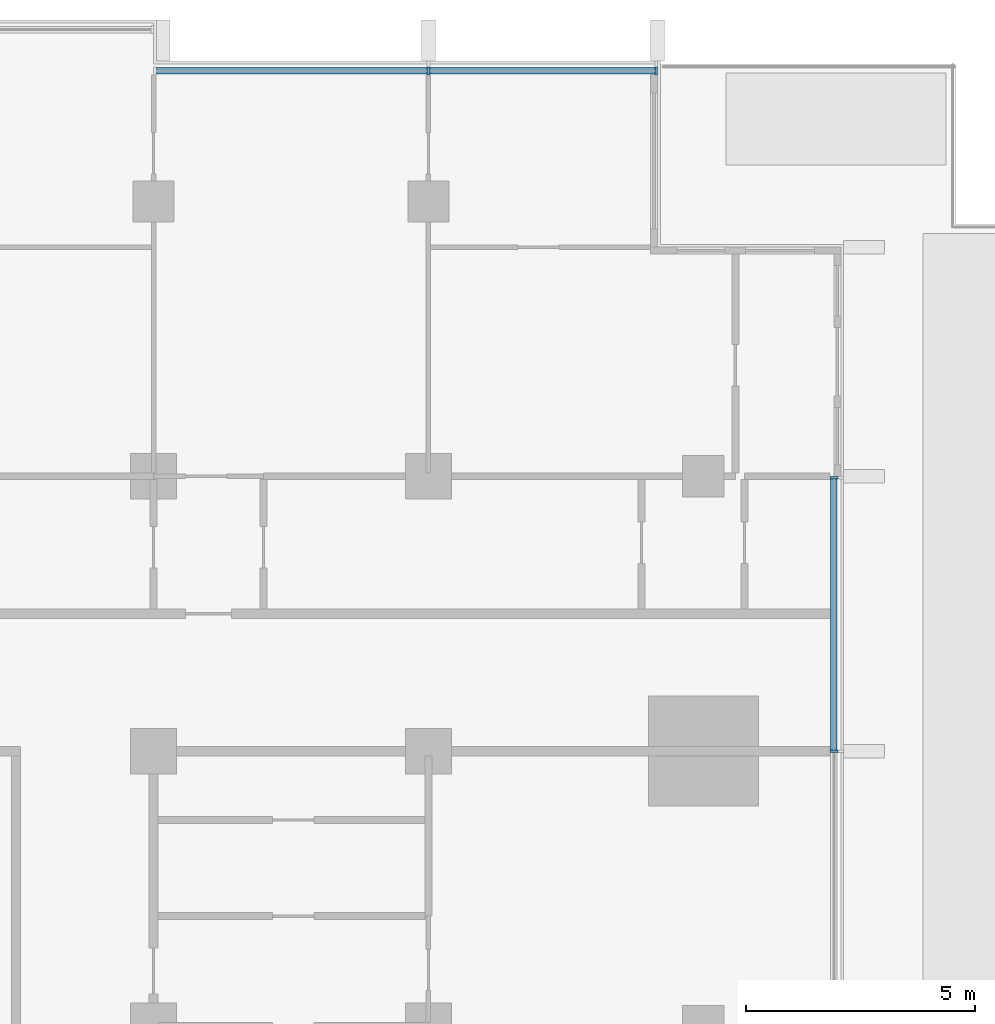
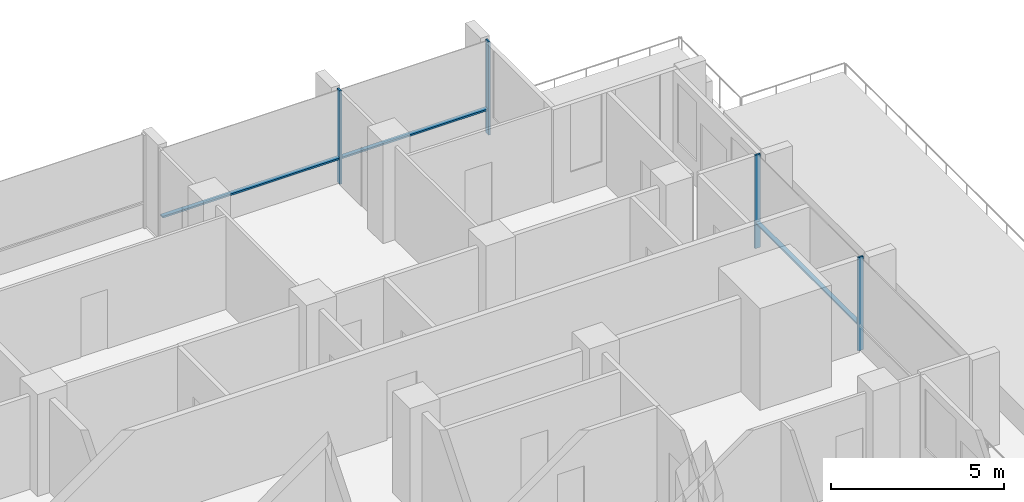
# One storey, part 5 of 18: 7 members, 2 elements without a shape of their own.
"""IFC4 building model written with IfcOpenShell, lengths in metres."""

from ifc_helpers import new_model, si_unit, direction, frame, origin, origin_2d, place, context, subcontext, project, spatial, rectangle, extrude, material, material_profile, profile_set, type_object, element, aggregate, save


model = new_model("IFC4")

# Units and contexts
model_context = context("Model", 3, precision=1e-05, world=origin(), true_north=direction((0.0, 1.0)))
body_context = subcontext(model_context, "Body", "Model", "MODEL_VIEW")
ifc_project = project(units=[si_unit("LENGTHUNIT", "METRE"), si_unit("AREAUNIT", "SQUARE_METRE"), si_unit("VOLUMEUNIT", "CUBIC_METRE"), si_unit("PLANEANGLEUNIT", "RADIAN"), si_unit("MASSUNIT", "GRAM", prefix="KILO")], contexts=[model_context])

# Site, building, storey
site_placement = place(None, origin())
site = spatial("IfcSite", under=ifc_project, at=site_placement, CompositionType="ELEMENT")
building_placement = place(site_placement, origin())
building = spatial("IfcBuilding", under=site, at=building_placement, Name="Finial Court Residences", CompositionType="ELEMENT")
storey_placement = place(building_placement, frame((0.0, 0.0, 149.300048828125)))
storey = spatial("IfcBuildingStorey", under=building, at=storey_placement, Name="L36", CompositionType="ELEMENT", Elevation=149.300048828125)

# Curtain wall, members
ifc_material = material(Name="Bronze anodised aluminium", Category="aluminium")
curtain_wall_type = type_object("IfcCurtainWallType", Name="Unitised curtain wall, upper zones", PredefinedType="NOTDEFINED", material=ifc_material)
curtain_wall_1_placement = place(storey_placement, origin())
curtain_wall_1 = element("IfcCurtainWall", 1, at=curtain_wall_1_placement, inside=storey, type_object=curtain_wall_type, Name="E-L36-CW-N3", PredefinedType="NOTDEFINED")
ifc_material_profile_1 = material_profile(ifc_material, rectangle(XDim=0.175048828125, YDim=0.06005859375, at=origin_2d()), Name="CW2 mullion 60 x 175")
ifc_profile_set_1 = profile_set([ifc_material_profile_1], Name="Bronze anodised aluminium")
member_type_1 = type_object("IfcMemberType", Name="CW2 mullion 60 x 175", PredefinedType="MULLION", material=ifc_profile_set_1)
member_1_placement = place(storey_placement, frame((10.5, 22.35009765625, 0.0), z_axis=(0.0, 0.0, 1.0), x_axis=(0.0, 1.0, 0.0)))
member_1 = element("IfcMember", 2, at=member_1_placement, type_object=member_type_1, Name="CW2 mullion 2", PredefinedType="MULLION", context=body_context, shape_type="SweptSolid", body=[
    extrude(rectangle(XDim=0.175048828125, YDim=0.06005859375, at=origin_2d()), origin(), (0.0, 0.0, 1.0), 3.300048828125),
])
member_2_placement = place(storey_placement, frame((15.469970703125, 22.35009765625, 0.0), z_axis=(0.0, 0.0, 1.0), x_axis=(0.0, 1.0, 0.0)))
member_2 = element("IfcMember", 3, at=member_2_placement, type_object=member_type_1, Name="CW2 mullion 3", PredefinedType="MULLION", context=body_context, shape_type="SweptSolid", body=[
    extrude(rectangle(XDim=0.175048828125, YDim=0.06005859375, at=origin_2d()), origin(), (0.0, 0.0, 1.0), 3.300048828125),
])

curtain_wall_2_placement = place(storey_placement, origin())
curtain_wall_2 = element("IfcCurtainWall", 4, at=curtain_wall_2_placement, inside=storey, type_object=curtain_wall_type, Name="E-L36-CW-E5", PredefinedType="NOTDEFINED")
member_3_placement = place(storey_placement, frame((19.35009765625, 7.5, 0.0), z_axis=(0.0, 0.0, 1.0), x_axis=(-1.0, 0.0, 0.0)))
member_3 = element("IfcMember", 5, at=member_3_placement, type_object=member_type_1, Name="CW2 mullion 2", PredefinedType="MULLION", context=body_context, shape_type="SweptSolid", body=[
    extrude(rectangle(XDim=0.175048828125, YDim=0.06005859375, at=origin_2d()), origin(), (0.0, 0.0, 1.0), 3.300048828125),
])
member_4_placement = place(storey_placement, frame((19.35009765625, 13.469970703125, 0.0), z_axis=(0.0, 0.0, 1.0), x_axis=(-1.0, 0.0, 0.0)))
member_4 = element("IfcMember", 6, at=member_4_placement, type_object=member_type_1, Name="CW2 mullion 3", PredefinedType="MULLION", context=body_context, shape_type="SweptSolid", body=[
    extrude(rectangle(XDim=0.175048828125, YDim=0.06005859375, at=origin_2d()), origin(), (0.0, 0.0, 1.0), 3.300048828125),
])

# Member
ifc_material_profile_2 = material_profile(ifc_material, rectangle(XDim=0.139892578125, YDim=0.06005859375, at=origin_2d()), Name="CW2 transom 60 x 140")
ifc_profile_set_2 = profile_set([ifc_material_profile_2], Name="Bronze anodised aluminium")
member_type_2 = type_object("IfcMemberType", Name="CW2 transom 60 x 140", PredefinedType="USERDEFINED", material=ifc_profile_set_2)
member_5_placement = place(storey_placement, frame((4.56005859375, 22.35009765625, 0.89990234375), z_axis=(1.0, 0.0, 0.0), x_axis=(0.0, 1.0, 0.0)))
member_5 = element("IfcMember", 7, at=member_5_placement, type_object=member_type_2, Name="CW2 transom 1.1", ObjectType="TRANSOM", PredefinedType="USERDEFINED", context=body_context, shape_type="SweptSolid", body=[
    extrude(rectangle(XDim=0.139892578125, YDim=0.06005859375, at=origin_2d()), origin(), (0.0, 0.0, 1.0), 5.909912109375),
])

member_6_placement = place(storey_placement, frame((10.530029296875, 22.35009765625, 0.89990234375), z_axis=(1.0, 0.0, 0.0), x_axis=(0.0, 1.0, 0.0)))
member_6 = element("IfcMember", 8, at=member_6_placement, type_object=member_type_2, Name="CW2 transom 2.1", ObjectType="TRANSOM", PredefinedType="USERDEFINED", context=body_context, shape_type="SweptSolid", body=[
    extrude(rectangle(XDim=0.139892578125, YDim=0.06005859375, at=origin_2d()), origin(), (0.0, 0.0, 1.0), 4.909912109375),
])

aggregate(curtain_wall_1, [member_1, member_2, member_5, member_6])

member_7_placement = place(storey_placement, frame((19.35009765625, 7.530029296875, 0.89990234375), z_axis=(0.0, 1.0, 0.0), x_axis=(-1.0, 0.0, 0.0)))
member_7 = element("IfcMember", 9, at=member_7_placement, type_object=member_type_2, Name="CW2 transom 2.1", ObjectType="TRANSOM", PredefinedType="USERDEFINED", context=body_context, shape_type="SweptSolid", body=[
    extrude(rectangle(XDim=0.139892578125, YDim=0.06005859375, at=origin_2d()), origin(), (0.0, 0.0, 1.0), 5.909912109375),
])

aggregate(curtain_wall_2, [member_3, member_4, member_7])

save(model, "model.ifc")
